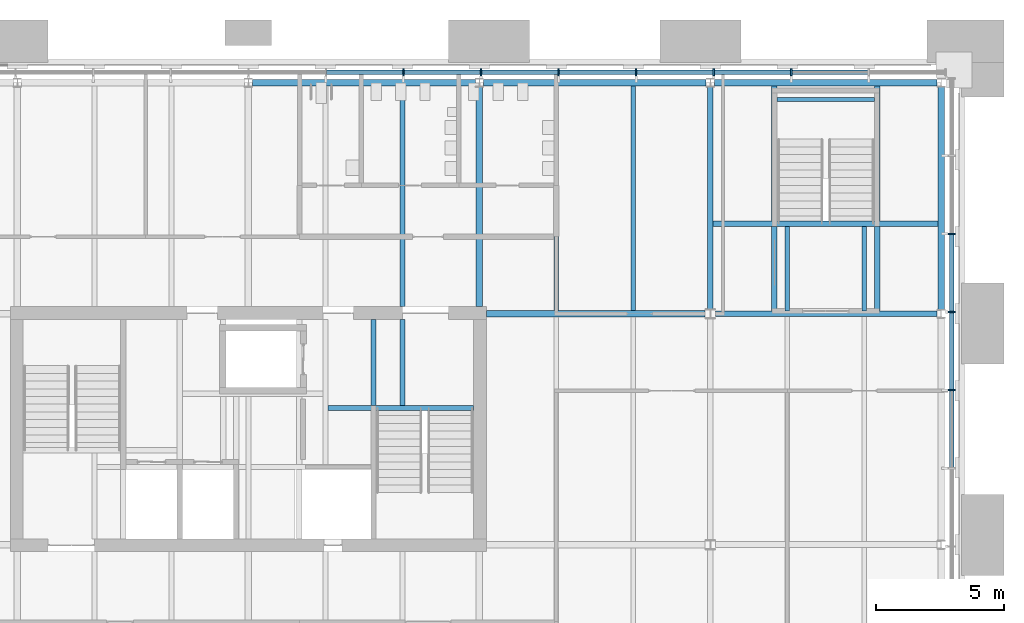
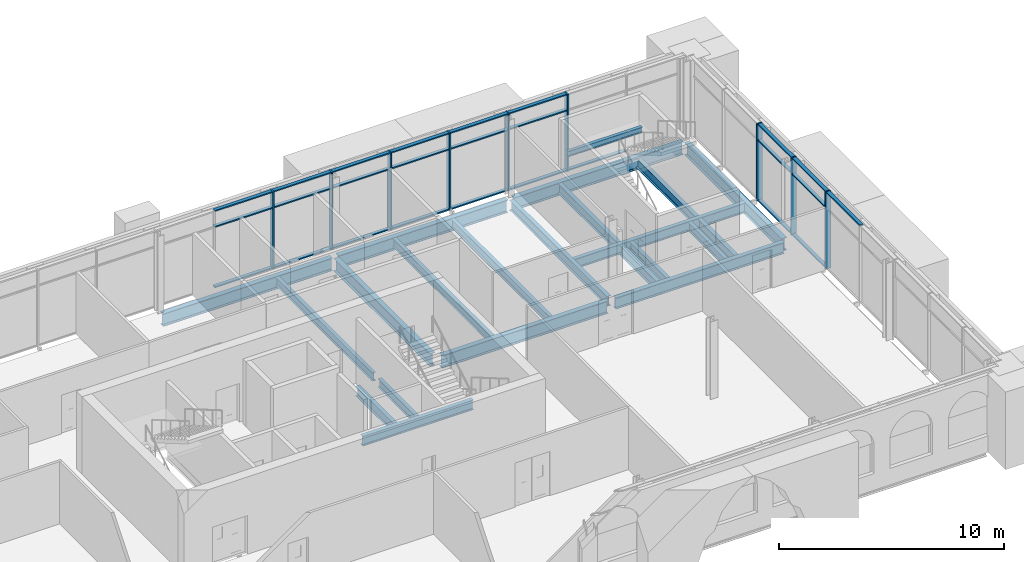
# One storey, part 7 of 22: 35 members, 22 beams, 2 elements without a shape of their own.
"""IFC4 building model written with IfcOpenShell, lengths in metres."""

from ifc_helpers import new_model, si_unit, direction, frame, origin, origin_2d, place, context, subcontext, project, spatial, rectangle, i_section, extrude, material, material_profile, profile_set, type_object, element, aggregate, save


model = new_model("IFC4")

# Units and contexts
model_context = context("Model", 3, precision=1e-05, world=origin(), true_north=direction((0.0, 1.0)))
body_context = subcontext(model_context, "Body", "Model", "MODEL_VIEW")
ifc_project = project(units=[si_unit("LENGTHUNIT", "METRE"), si_unit("AREAUNIT", "SQUARE_METRE"), si_unit("VOLUMEUNIT", "CUBIC_METRE"), si_unit("PLANEANGLEUNIT", "RADIAN"), si_unit("MASSUNIT", "GRAM", prefix="KILO")], contexts=[model_context])

# Site, building, storey
site_placement = place(None, origin())
site = spatial("IfcSite", under=ifc_project, at=site_placement, CompositionType="ELEMENT")
building_placement = place(site_placement, origin())
building = spatial("IfcBuilding", under=site, at=building_placement, Name="Baradari Gate Terminus", CompositionType="ELEMENT")
storey_placement = place(building_placement, frame((0.0, 0.0, 28.5)))
storey = spatial("IfcBuildingStorey", under=building, at=storey_placement, Name="L06", CompositionType="ELEMENT", Elevation=28.5)

# Beams
ifc_material_1 = material(Name="Steel S355", Category="steel")
ifc_material_profile_1 = material_profile(ifc_material_1, i_section(OverallWidth=0.19140625, OverallDepth=0.4599609375, WebThickness=0.010009765625, FlangeThickness=0.01611328125, FilletRadius=0.01025390625, at=origin_2d()), Name="UB 457x191x82")
ifc_profile_set_1 = profile_set([ifc_material_profile_1], Name="Steel S355")
beam_type_1 = type_object("IfcBeamType", Name="Core floor beam B23 UB 457x191x82", PredefinedType="BEAM", material=ifc_profile_set_1)
beam_1_placement = place(storey_placement, frame((42.0, 131.4296875, -0.360107421875), z_axis=(0.0, 1.0, 0.0), x_axis=(-1.0, 0.0, 0.0)))
element("IfcBeam", 1, at=beam_1_placement, inside=storey, type_object=beam_type_1, Name="Core floor beam B23 42:131.43-134.775 L06", PredefinedType="BEAM", context=body_context, shape_type="SweptSolid", body=[
    extrude(i_section(OverallWidth=0.19140625, OverallDepth=0.4599609375, WebThickness=0.010009765625, FlangeThickness=0.01611328125, FilletRadius=0.01025390625, at=origin_2d()), origin(), (0.0, 0.0, 1.0), 3.34521484375),
])
ifc_material_2 = material(Name="Steel S355", Category="steel")
ifc_material_profile_2 = material_profile(ifc_material_2, i_section(OverallWidth=0.209228515625, OverallDepth=0.533203125, WebThickness=0.010009765625, FlangeThickness=0.015625, FilletRadius=0.0126953125, at=origin_2d()), Name="UB 533x210x92")
ifc_profile_set_2 = profile_set([ifc_material_profile_2], Name="Steel S355")
beam_type_2 = type_object("IfcBeamType", Name="Core floor trimmer beam B22 UB 533x210x92", PredefinedType="BEAM", material=ifc_profile_set_2)
beam_2_placement = place(storey_placement, frame((39.095703125, 131.324951171875, -0.396484375), z_axis=(1.0, 0.0, 0.0), x_axis=(0.0, 1.0, 0.0)))
element("IfcBeam", 2, at=beam_2_placement, inside=storey, type_object=beam_type_2, Name="Core floor trimmer beam B22 131.325:39.096-44.775 L06", PredefinedType="BEAM", context=body_context, shape_type="SweptSolid", body=[
    extrude(i_section(OverallWidth=0.209228515625, OverallDepth=0.533203125, WebThickness=0.010009765625, FlangeThickness=0.015625, FilletRadius=0.0126953125, at=origin_2d()), origin(), (0.0, 0.0, 1.0), 5.67919921875),
])
beam_3_placement = place(storey_placement, frame((40.875, 131.4296875, -0.396484375), z_axis=(0.0, 1.0, 0.0), x_axis=(-1.0, 0.0, 0.0)))
element("IfcBeam", 3, at=beam_3_placement, inside=storey, type_object=beam_type_2, Name="Core floor trimmer beam B22 40.875:131.43-134.775 L06", PredefinedType="BEAM", context=body_context, shape_type="SweptSolid", body=[
    extrude(i_section(OverallWidth=0.209228515625, OverallDepth=0.533203125, WebThickness=0.010009765625, FlangeThickness=0.015625, FilletRadius=0.0126953125, at=origin_2d()), origin(), (0.0, 0.0, 1.0), 3.34521484375),
])

# Curtain wall, members
ifc_material_3 = material(Name="Aluminium 6063-T6", Category="aluminium")
curtain_wall_type = type_object("IfcCurtainWallType", Name="Curtain wall CW-12 block arcade floors, L06-L07", PredefinedType="NOTDEFINED", material=ifc_material_3)
curtain_wall_1_placement = place(storey_placement, origin())
curtain_wall_1 = element("IfcCurtainWall", 4, at=curtain_wall_1_placement, inside=storey, type_object=curtain_wall_type, Name="Curtain wall CW-12 Operations block E face L06", PredefinedType="NOTDEFINED")
ifc_material_4 = material(Name="Aluminium 6063-T6", Category="aluminium")
ifc_material_profile_3 = material_profile(ifc_material_4, rectangle(XDim=0.27490234375, YDim=0.06494140625, at=origin_2d()), Name="CM-12 65X275")
ifc_profile_set_3 = profile_set([ifc_material_profile_3], Name="Aluminium 6063-T6")
member_type_1 = type_object("IfcMemberType", Name="Curtain wall mullion CM-12 65x275", PredefinedType="MULLION", material=ifc_profile_set_3)
member_1_placement = place(storey_placement, frame((63.407470703125, 132.022216796875, 0.0), z_axis=(0.0, 0.0, 1.0), x_axis=(-1.0, 0.0, 0.0)))
member_1 = element("IfcMember", 5, at=member_1_placement, type_object=member_type_1, Name="CW-12 mullion 6", PredefinedType="MULLION", context=body_context, shape_type="SweptSolid", body=[
    extrude(rectangle(XDim=0.27490234375, YDim=0.06494140625, at=origin_2d()), origin(), (0.0, 0.0, 1.0), 4.199951171875),
])
member_2_placement = place(storey_placement, frame((63.407470703125, 135.066650390625, 0.0), z_axis=(0.0, 0.0, 1.0), x_axis=(-1.0, 0.0, 0.0)))
member_2 = element("IfcMember", 6, at=member_2_placement, type_object=member_type_1, Name="CW-12 mullion 7", PredefinedType="MULLION", context=body_context, shape_type="SweptSolid", body=[
    extrude(rectangle(XDim=0.27490234375, YDim=0.06494140625, at=origin_2d()), origin(), (0.0, 0.0, 1.0), 4.199951171875),
])
member_3_placement = place(storey_placement, frame((63.407470703125, 138.111083984375, 0.0), z_axis=(0.0, 0.0, 1.0), x_axis=(-1.0, 0.0, 0.0)))
member_3 = element("IfcMember", 7, at=member_3_placement, type_object=member_type_1, Name="CW-12 mullion 8", PredefinedType="MULLION", context=body_context, shape_type="SweptSolid", body=[
    extrude(rectangle(XDim=0.27490234375, YDim=0.06494140625, at=origin_2d()), origin(), (0.0, 0.0, 1.0), 4.199951171875),
])

curtain_wall_2_placement = place(storey_placement, origin())
curtain_wall_2 = element("IfcCurtainWall", 8, at=curtain_wall_2_placement, inside=storey, type_object=curtain_wall_type, Name="Curtain wall CW-12 Operations block N face L06", PredefinedType="NOTDEFINED")
member_4_placement = place(storey_placement, frame((57.155517578125, 144.407470703125, 0.0), z_axis=(0.0, 0.0, 1.0), x_axis=(0.0, -1.0, 0.0)))
member_4 = element("IfcMember", 9, at=member_4_placement, type_object=member_type_1, Name="CW-12 mullion 3", PredefinedType="MULLION", context=body_context, shape_type="SweptSolid", body=[
    extrude(rectangle(XDim=0.27490234375, YDim=0.06494140625, at=origin_2d()), origin(), (0.0, 0.0, 1.0), 4.199951171875),
])
member_5_placement = place(storey_placement, frame((54.13330078125, 144.407470703125, 0.0), z_axis=(0.0, 0.0, 1.0), x_axis=(0.0, -1.0, 0.0)))
member_5 = element("IfcMember", 10, at=member_5_placement, type_object=member_type_1, Name="CW-12 mullion 4", PredefinedType="MULLION", context=body_context, shape_type="SweptSolid", body=[
    extrude(rectangle(XDim=0.27490234375, YDim=0.06494140625, at=origin_2d()), origin(), (0.0, 0.0, 1.0), 4.199951171875),
])
member_6_placement = place(storey_placement, frame((51.111083984375, 144.407470703125, 0.0), z_axis=(0.0, 0.0, 1.0), x_axis=(0.0, -1.0, 0.0)))
member_6 = element("IfcMember", 11, at=member_6_placement, type_object=member_type_1, Name="CW-12 mullion 5", PredefinedType="MULLION", context=body_context, shape_type="SweptSolid", body=[
    extrude(rectangle(XDim=0.27490234375, YDim=0.06494140625, at=origin_2d()), origin(), (0.0, 0.0, 1.0), 4.199951171875),
])
member_7_placement = place(storey_placement, frame((48.0888671875, 144.407470703125, 0.0), z_axis=(0.0, 0.0, 1.0), x_axis=(0.0, -1.0, 0.0)))
member_7 = element("IfcMember", 12, at=member_7_placement, type_object=member_type_1, Name="CW-12 mullion 6", PredefinedType="MULLION", context=body_context, shape_type="SweptSolid", body=[
    extrude(rectangle(XDim=0.27490234375, YDim=0.06494140625, at=origin_2d()), origin(), (0.0, 0.0, 1.0), 4.199951171875),
])
member_8_placement = place(storey_placement, frame((45.066650390625, 144.407470703125, 0.0), z_axis=(0.0, 0.0, 1.0), x_axis=(0.0, -1.0, 0.0)))
member_8 = element("IfcMember", 13, at=member_8_placement, type_object=member_type_1, Name="CW-12 mullion 7", PredefinedType="MULLION", context=body_context, shape_type="SweptSolid", body=[
    extrude(rectangle(XDim=0.27490234375, YDim=0.06494140625, at=origin_2d()), origin(), (0.0, 0.0, 1.0), 4.199951171875),
])
member_9_placement = place(storey_placement, frame((42.04443359375, 144.407470703125, 0.0), z_axis=(0.0, 0.0, 1.0), x_axis=(0.0, -1.0, 0.0)))
member_9 = element("IfcMember", 14, at=member_9_placement, type_object=member_type_1, Name="CW-12 mullion 8", PredefinedType="MULLION", context=body_context, shape_type="SweptSolid", body=[
    extrude(rectangle(XDim=0.27490234375, YDim=0.06494140625, at=origin_2d()), origin(), (0.0, 0.0, 1.0), 4.199951171875),
])

# Member
ifc_material_5 = material(Name="Aluminium 6063-T6", Category="aluminium")
ifc_material_profile_4 = material_profile(ifc_material_5, rectangle(XDim=0.18505859375, YDim=0.06494140625, at=origin_2d()), Name="CT-12 65X185")
ifc_profile_set_4 = profile_set([ifc_material_profile_4], Name="Aluminium 6063-T6")
member_type_2 = type_object("IfcMemberType", Name="Curtain wall transom CT-12 65x185", PredefinedType="USERDEFINED", material=ifc_profile_set_4)
member_10_placement = place(storey_placement, frame((63.407470703125, 129.01025390625, 4.16748046875), z_axis=(0.0, 1.0, 0.0), x_axis=(-1.0, 0.0, 0.0)))
member_10 = element("IfcMember", 15, at=member_10_placement, type_object=member_type_2, Name="CW-12 transom 5.3", ObjectType="TRANSOM", PredefinedType="USERDEFINED", context=body_context, shape_type="SweptSolid", body=[
    extrude(rectangle(XDim=0.18505859375, YDim=0.06494140625, at=origin_2d()), origin(), (0.0, 0.0, 1.0), 2.9794921875),
])

member_11_placement = place(storey_placement, frame((63.407470703125, 132.0546875, 0.032470703125), z_axis=(0.0, 1.0, 0.0), x_axis=(-1.0, 0.0, 0.0)))
member_11 = element("IfcMember", 16, at=member_11_placement, type_object=member_type_2, Name="CW-12 transom 6.1", ObjectType="TRANSOM", PredefinedType="USERDEFINED", context=body_context, shape_type="SweptSolid", body=[
    extrude(rectangle(XDim=0.18505859375, YDim=0.06494140625, at=origin_2d()), origin(), (0.0, 0.0, 1.0), 2.9794921875),
])

member_12_placement = place(storey_placement, frame((63.407470703125, 132.0546875, 3.300048828125), z_axis=(0.0, 1.0, 0.0), x_axis=(-1.0, 0.0, 0.0)))
member_12 = element("IfcMember", 17, at=member_12_placement, type_object=member_type_2, Name="CW-12 transom 6.2", ObjectType="TRANSOM", PredefinedType="USERDEFINED", context=body_context, shape_type="SweptSolid", body=[
    extrude(rectangle(XDim=0.18505859375, YDim=0.06494140625, at=origin_2d()), origin(), (0.0, 0.0, 1.0), 2.9794921875),
])

member_13_placement = place(storey_placement, frame((63.407470703125, 132.0546875, 4.16748046875), z_axis=(0.0, 1.0, 0.0), x_axis=(-1.0, 0.0, 0.0)))
member_13 = element("IfcMember", 18, at=member_13_placement, type_object=member_type_2, Name="CW-12 transom 6.3", ObjectType="TRANSOM", PredefinedType="USERDEFINED", context=body_context, shape_type="SweptSolid", body=[
    extrude(rectangle(XDim=0.18505859375, YDim=0.06494140625, at=origin_2d()), origin(), (0.0, 0.0, 1.0), 2.9794921875),
])

member_14_placement = place(storey_placement, frame((63.407470703125, 135.09912109375, 0.032470703125), z_axis=(0.0, 1.0, 0.0), x_axis=(-1.0, 0.0, 0.0)))
member_14 = element("IfcMember", 19, at=member_14_placement, type_object=member_type_2, Name="CW-12 transom 7.1", ObjectType="TRANSOM", PredefinedType="USERDEFINED", context=body_context, shape_type="SweptSolid", body=[
    extrude(rectangle(XDim=0.18505859375, YDim=0.06494140625, at=origin_2d()), origin(), (0.0, 0.0, 1.0), 2.9794921875),
])

member_15_placement = place(storey_placement, frame((63.407470703125, 135.09912109375, 3.300048828125), z_axis=(0.0, 1.0, 0.0), x_axis=(-1.0, 0.0, 0.0)))
member_15 = element("IfcMember", 20, at=member_15_placement, type_object=member_type_2, Name="CW-12 transom 7.2", ObjectType="TRANSOM", PredefinedType="USERDEFINED", context=body_context, shape_type="SweptSolid", body=[
    extrude(rectangle(XDim=0.18505859375, YDim=0.06494140625, at=origin_2d()), origin(), (0.0, 0.0, 1.0), 2.9794921875),
])

member_16_placement = place(storey_placement, frame((63.407470703125, 135.09912109375, 4.16748046875), z_axis=(0.0, 1.0, 0.0), x_axis=(-1.0, 0.0, 0.0)))
member_16 = element("IfcMember", 21, at=member_16_placement, type_object=member_type_2, Name="CW-12 transom 7.3", ObjectType="TRANSOM", PredefinedType="USERDEFINED", context=body_context, shape_type="SweptSolid", body=[
    extrude(rectangle(XDim=0.18505859375, YDim=0.06494140625, at=origin_2d()), origin(), (0.0, 0.0, 1.0), 2.9794921875),
])

aggregate(curtain_wall_1, [member_1, member_2, member_3, member_10, member_11, member_12, member_13, member_14, member_15, member_16])

member_17_placement = place(storey_placement, frame((60.145263671875, 144.407470703125, 0.032470703125), z_axis=(-1.0, 0.0, 0.0), x_axis=(0.0, -1.0, 0.0)))
member_17 = element("IfcMember", 22, at=member_17_placement, type_object=member_type_2, Name="CW-12 transom 2.1", ObjectType="TRANSOM", PredefinedType="USERDEFINED", context=body_context, shape_type="SweptSolid", body=[
    extrude(rectangle(XDim=0.18505859375, YDim=0.06494140625, at=origin_2d()), origin(), (0.0, 0.0, 1.0), 2.957275390625),
])

member_18_placement = place(storey_placement, frame((57.123046875, 144.407470703125, 0.032470703125), z_axis=(-1.0, 0.0, 0.0), x_axis=(0.0, -1.0, 0.0)))
member_18 = element("IfcMember", 23, at=member_18_placement, type_object=member_type_2, Name="CW-12 transom 3.1", ObjectType="TRANSOM", PredefinedType="USERDEFINED", context=body_context, shape_type="SweptSolid", body=[
    extrude(rectangle(XDim=0.18505859375, YDim=0.06494140625, at=origin_2d()), origin(), (0.0, 0.0, 1.0), 2.957275390625),
])

member_19_placement = place(storey_placement, frame((57.123046875, 144.407470703125, 3.300048828125), z_axis=(-1.0, 0.0, 0.0), x_axis=(0.0, -1.0, 0.0)))
member_19 = element("IfcMember", 24, at=member_19_placement, type_object=member_type_2, Name="CW-12 transom 3.2", ObjectType="TRANSOM", PredefinedType="USERDEFINED", context=body_context, shape_type="SweptSolid", body=[
    extrude(rectangle(XDim=0.18505859375, YDim=0.06494140625, at=origin_2d()), origin(), (0.0, 0.0, 1.0), 2.957275390625),
])

member_20_placement = place(storey_placement, frame((57.123046875, 144.407470703125, 4.16748046875), z_axis=(-1.0, 0.0, 0.0), x_axis=(0.0, -1.0, 0.0)))
member_20 = element("IfcMember", 25, at=member_20_placement, type_object=member_type_2, Name="CW-12 transom 3.3", ObjectType="TRANSOM", PredefinedType="USERDEFINED", context=body_context, shape_type="SweptSolid", body=[
    extrude(rectangle(XDim=0.18505859375, YDim=0.06494140625, at=origin_2d()), origin(), (0.0, 0.0, 1.0), 2.957275390625),
])

member_21_placement = place(storey_placement, frame((54.100830078125, 144.407470703125, 0.032470703125), z_axis=(-1.0, 0.0, 0.0), x_axis=(0.0, -1.0, 0.0)))
member_21 = element("IfcMember", 26, at=member_21_placement, type_object=member_type_2, Name="CW-12 transom 4.1", ObjectType="TRANSOM", PredefinedType="USERDEFINED", context=body_context, shape_type="SweptSolid", body=[
    extrude(rectangle(XDim=0.18505859375, YDim=0.06494140625, at=origin_2d()), origin(), (0.0, 0.0, 1.0), 2.957275390625),
])

member_22_placement = place(storey_placement, frame((54.100830078125, 144.407470703125, 3.300048828125), z_axis=(-1.0, 0.0, 0.0), x_axis=(0.0, -1.0, 0.0)))
member_22 = element("IfcMember", 27, at=member_22_placement, type_object=member_type_2, Name="CW-12 transom 4.2", ObjectType="TRANSOM", PredefinedType="USERDEFINED", context=body_context, shape_type="SweptSolid", body=[
    extrude(rectangle(XDim=0.18505859375, YDim=0.06494140625, at=origin_2d()), origin(), (0.0, 0.0, 1.0), 2.957275390625),
])

member_23_placement = place(storey_placement, frame((54.100830078125, 144.407470703125, 4.16748046875), z_axis=(-1.0, 0.0, 0.0), x_axis=(0.0, -1.0, 0.0)))
member_23 = element("IfcMember", 28, at=member_23_placement, type_object=member_type_2, Name="CW-12 transom 4.3", ObjectType="TRANSOM", PredefinedType="USERDEFINED", context=body_context, shape_type="SweptSolid", body=[
    extrude(rectangle(XDim=0.18505859375, YDim=0.06494140625, at=origin_2d()), origin(), (0.0, 0.0, 1.0), 2.957275390625),
])

member_24_placement = place(storey_placement, frame((51.07861328125, 144.407470703125, 0.032470703125), z_axis=(-1.0, 0.0, 0.0), x_axis=(0.0, -1.0, 0.0)))
member_24 = element("IfcMember", 29, at=member_24_placement, type_object=member_type_2, Name="CW-12 transom 5.1", ObjectType="TRANSOM", PredefinedType="USERDEFINED", context=body_context, shape_type="SweptSolid", body=[
    extrude(rectangle(XDim=0.18505859375, YDim=0.06494140625, at=origin_2d()), origin(), (0.0, 0.0, 1.0), 2.957275390625),
])

member_25_placement = place(storey_placement, frame((51.07861328125, 144.407470703125, 3.300048828125), z_axis=(-1.0, 0.0, 0.0), x_axis=(0.0, -1.0, 0.0)))
member_25 = element("IfcMember", 30, at=member_25_placement, type_object=member_type_2, Name="CW-12 transom 5.2", ObjectType="TRANSOM", PredefinedType="USERDEFINED", context=body_context, shape_type="SweptSolid", body=[
    extrude(rectangle(XDim=0.18505859375, YDim=0.06494140625, at=origin_2d()), origin(), (0.0, 0.0, 1.0), 2.957275390625),
])

member_26_placement = place(storey_placement, frame((51.07861328125, 144.407470703125, 4.16748046875), z_axis=(-1.0, 0.0, 0.0), x_axis=(0.0, -1.0, 0.0)))
member_26 = element("IfcMember", 31, at=member_26_placement, type_object=member_type_2, Name="CW-12 transom 5.3", ObjectType="TRANSOM", PredefinedType="USERDEFINED", context=body_context, shape_type="SweptSolid", body=[
    extrude(rectangle(XDim=0.18505859375, YDim=0.06494140625, at=origin_2d()), origin(), (0.0, 0.0, 1.0), 2.957275390625),
])

member_27_placement = place(storey_placement, frame((48.056396484375, 144.407470703125, 0.032470703125), z_axis=(-1.0, 0.0, 0.0), x_axis=(0.0, -1.0, 0.0)))
member_27 = element("IfcMember", 32, at=member_27_placement, type_object=member_type_2, Name="CW-12 transom 6.1", ObjectType="TRANSOM", PredefinedType="USERDEFINED", context=body_context, shape_type="SweptSolid", body=[
    extrude(rectangle(XDim=0.18505859375, YDim=0.06494140625, at=origin_2d()), origin(), (0.0, 0.0, 1.0), 2.957275390625),
])

member_28_placement = place(storey_placement, frame((48.056396484375, 144.407470703125, 3.300048828125), z_axis=(-1.0, 0.0, 0.0), x_axis=(0.0, -1.0, 0.0)))
member_28 = element("IfcMember", 33, at=member_28_placement, type_object=member_type_2, Name="CW-12 transom 6.2", ObjectType="TRANSOM", PredefinedType="USERDEFINED", context=body_context, shape_type="SweptSolid", body=[
    extrude(rectangle(XDim=0.18505859375, YDim=0.06494140625, at=origin_2d()), origin(), (0.0, 0.0, 1.0), 2.957275390625),
])

member_29_placement = place(storey_placement, frame((48.056396484375, 144.407470703125, 4.16748046875), z_axis=(-1.0, 0.0, 0.0), x_axis=(0.0, -1.0, 0.0)))
member_29 = element("IfcMember", 34, at=member_29_placement, type_object=member_type_2, Name="CW-12 transom 6.3", ObjectType="TRANSOM", PredefinedType="USERDEFINED", context=body_context, shape_type="SweptSolid", body=[
    extrude(rectangle(XDim=0.18505859375, YDim=0.06494140625, at=origin_2d()), origin(), (0.0, 0.0, 1.0), 2.957275390625),
])

member_30_placement = place(storey_placement, frame((45.0341796875, 144.407470703125, 0.032470703125), z_axis=(-1.0, 0.0, 0.0), x_axis=(0.0, -1.0, 0.0)))
member_30 = element("IfcMember", 35, at=member_30_placement, type_object=member_type_2, Name="CW-12 transom 7.1", ObjectType="TRANSOM", PredefinedType="USERDEFINED", context=body_context, shape_type="SweptSolid", body=[
    extrude(rectangle(XDim=0.18505859375, YDim=0.06494140625, at=origin_2d()), origin(), (0.0, 0.0, 1.0), 2.957275390625),
])

member_31_placement = place(storey_placement, frame((45.0341796875, 144.407470703125, 3.300048828125), z_axis=(-1.0, 0.0, 0.0), x_axis=(0.0, -1.0, 0.0)))
member_31 = element("IfcMember", 36, at=member_31_placement, type_object=member_type_2, Name="CW-12 transom 7.2", ObjectType="TRANSOM", PredefinedType="USERDEFINED", context=body_context, shape_type="SweptSolid", body=[
    extrude(rectangle(XDim=0.18505859375, YDim=0.06494140625, at=origin_2d()), origin(), (0.0, 0.0, 1.0), 2.957275390625),
])

member_32_placement = place(storey_placement, frame((45.0341796875, 144.407470703125, 4.16748046875), z_axis=(-1.0, 0.0, 0.0), x_axis=(0.0, -1.0, 0.0)))
member_32 = element("IfcMember", 37, at=member_32_placement, type_object=member_type_2, Name="CW-12 transom 7.3", ObjectType="TRANSOM", PredefinedType="USERDEFINED", context=body_context, shape_type="SweptSolid", body=[
    extrude(rectangle(XDim=0.18505859375, YDim=0.06494140625, at=origin_2d()), origin(), (0.0, 0.0, 1.0), 2.957275390625),
])

member_33_placement = place(storey_placement, frame((42.011962890625, 144.407470703125, 0.032470703125), z_axis=(-1.0, 0.0, 0.0), x_axis=(0.0, -1.0, 0.0)))
member_33 = element("IfcMember", 38, at=member_33_placement, type_object=member_type_2, Name="CW-12 transom 8.1", ObjectType="TRANSOM", PredefinedType="USERDEFINED", context=body_context, shape_type="SweptSolid", body=[
    extrude(rectangle(XDim=0.18505859375, YDim=0.06494140625, at=origin_2d()), origin(), (0.0, 0.0, 1.0), 2.957275390625),
])

member_34_placement = place(storey_placement, frame((42.011962890625, 144.407470703125, 3.300048828125), z_axis=(-1.0, 0.0, 0.0), x_axis=(0.0, -1.0, 0.0)))
member_34 = element("IfcMember", 39, at=member_34_placement, type_object=member_type_2, Name="CW-12 transom 8.2", ObjectType="TRANSOM", PredefinedType="USERDEFINED", context=body_context, shape_type="SweptSolid", body=[
    extrude(rectangle(XDim=0.18505859375, YDim=0.06494140625, at=origin_2d()), origin(), (0.0, 0.0, 1.0), 2.957275390625),
])

member_35_placement = place(storey_placement, frame((42.011962890625, 144.407470703125, 4.16748046875), z_axis=(-1.0, 0.0, 0.0), x_axis=(0.0, -1.0, 0.0)))
member_35 = element("IfcMember", 40, at=member_35_placement, type_object=member_type_2, Name="CW-12 transom 8.3", ObjectType="TRANSOM", PredefinedType="USERDEFINED", context=body_context, shape_type="SweptSolid", body=[
    extrude(rectangle(XDim=0.18505859375, YDim=0.06494140625, at=origin_2d()), origin(), (0.0, 0.0, 1.0), 2.957275390625),
])

aggregate(curtain_wall_2, [member_4, member_5, member_6, member_7, member_8, member_9, member_17, member_18, member_19, member_20, member_21, member_22, member_23, member_24, member_25, member_26, member_27, member_28, member_29, member_30, member_31, member_32, member_33, member_34, member_35])

# Beams
ifc_material_6 = material(Name="Steel S355", Category="steel")
ifc_material_profile_5 = material_profile(ifc_material_6, i_section(OverallWidth=0.1650390625, OverallDepth=0.303466796875, WebThickness=0.006103515625, FlangeThickness=0.01025390625, FilletRadius=0.0087890625, at=origin_2d()), Name="UB 305x165x40")
ifc_profile_set_5 = profile_set([ifc_material_profile_5], Name="Steel S355")
beam_type_3 = type_object("IfcBeamType", Name="Landing beam B78 UB 305x165x40", PredefinedType="BEAM", material=ifc_profile_set_5)
beam_4_placement = place(storey_placement, frame((56.60009765625, 143.35009765625, 1.748291015625), z_axis=(1.0, 0.0, 0.0), x_axis=(0.0, 1.0, 0.0)))
element("IfcBeam", 41, at=beam_4_placement, inside=storey, type_object=beam_type_3, Name="B78 landing beam ST-T3/L1", PredefinedType="BEAM", context=body_context, shape_type="SweptSolid", body=[
    extrude(i_section(OverallWidth=0.1650390625, OverallDepth=0.303466796875, WebThickness=0.006103515625, FlangeThickness=0.01025390625, FilletRadius=0.0087890625, at=origin_2d()), origin(), (0.0, 0.0, 1.0), 3.7998046875),
])
ifc_material_7 = material(Name="Steel S355", Category="steel")
ifc_material_profile_6 = material_profile(ifc_material_7, i_section(OverallWidth=0.25439453125, OverallDepth=0.6875, WebThickness=0.01318359375, FlangeThickness=0.02099609375, FilletRadius=0.01513671875, at=origin_2d()), Name="UB 686x254x152")
ifc_profile_set_6 = profile_set([ifc_material_profile_6], Name="Steel S355")
beam_type_4 = type_object("IfcBeamType", Name="Operations block coupling beam B26 UB 686x254x152", PredefinedType="BEAM", material=ifc_profile_set_6)
beam_5_placement = place(storey_placement, frame((45.27490234375, 135.0, -0.4736328125), z_axis=(1.0, 0.0, 0.0), x_axis=(0.0, 1.0, 0.0)))
element("IfcBeam", 42, at=beam_5_placement, inside=storey, type_object=beam_type_4, Name="Operations block coupling beam B26 R:45.275-53.803 L06", PredefinedType="BEAM", context=body_context, shape_type="SweptSolid", body=[
    extrude(i_section(OverallWidth=0.25439453125, OverallDepth=0.6875, WebThickness=0.01318359375, FlangeThickness=0.02099609375, FilletRadius=0.01513671875, at=origin_2d()), origin(), (0.0, 0.0, 1.0), 8.527587890625),
])
beam_6_placement = place(storey_placement, frame((45.0, 135.27490234375, -0.4736328125), z_axis=(0.0, 1.0, 0.0), x_axis=(-1.0, 0.0, 0.0)))
element("IfcBeam", 43, at=beam_6_placement, inside=storey, type_object=beam_type_4, Name="Operations block coupling beam B26 6:135.275-143.83 L06", PredefinedType="BEAM", context=body_context, shape_type="SweptSolid", body=[
    extrude(i_section(OverallWidth=0.25439453125, OverallDepth=0.6875, WebThickness=0.01318359375, FlangeThickness=0.02099609375, FilletRadius=0.01513671875, at=origin_2d()), origin(), (0.0, 0.0, 1.0), 8.55517578125),
])
ifc_material_8 = material(Name="Steel S355", Category="steel")
ifc_material_profile_7 = material_profile(ifc_material_8, i_section(OverallWidth=0.22900390625, OverallDepth=0.6123046875, WebThickness=0.011962890625, FlangeThickness=0.01953125, FilletRadius=0.0126953125, at=origin_2d()), Name="UB 610x229x125")
ifc_profile_set_7 = profile_set([ifc_material_profile_7], Name="Steel S355")
beam_type_5 = type_object("IfcBeamType", Name="Operations block girder B25 UB 610x229x125", PredefinedType="BEAM", material=ifc_profile_set_7)
beam_7_placement = place(storey_placement, frame((54.197509765625, 135.0, -0.43603515625), z_axis=(1.0, 0.0, 0.0), x_axis=(0.0, 1.0, 0.0)))
element("IfcBeam", 44, at=beam_7_placement, inside=storey, type_object=beam_type_5, Name="Operations block girder B25 R:54.197-62.843 L06", PredefinedType="BEAM", context=body_context, shape_type="SweptSolid", body=[
    extrude(i_section(OverallWidth=0.22900390625, OverallDepth=0.6123046875, WebThickness=0.011962890625, FlangeThickness=0.01953125, FilletRadius=0.0126953125, at=origin_2d()), origin(), (0.0, 0.0, 1.0), 8.645263671875),
])
ifc_material_9 = material(Name="Steel S355", Category="steel")
ifc_material_profile_8 = material_profile(ifc_material_9, i_section(OverallWidth=0.210693359375, OverallDepth=0.53955078125, WebThickness=0.01171875, FlangeThickness=0.018798828125, FilletRadius=0.0126953125, at=origin_2d()), Name="UB 533x210x109")
ifc_profile_set_8 = profile_set([ifc_material_profile_8], Name="Steel S355")
beam_type_6 = type_object("IfcBeamType", Name="Operations block girder B29 UB 533x210x109", PredefinedType="BEAM", material=ifc_profile_set_8)
beam_8_placement = place(storey_placement, frame((54.0, 135.1904296875, -0.399658203125), z_axis=(0.0, 1.0, 0.0), x_axis=(-1.0, 0.0, 0.0)))
element("IfcBeam", 45, at=beam_8_placement, inside=storey, type_object=beam_type_6, Name="Operations block girder B29 7:135.19-143.83 L06", PredefinedType="BEAM", context=body_context, shape_type="SweptSolid", body=[
    extrude(i_section(OverallWidth=0.210693359375, OverallDepth=0.53955078125, WebThickness=0.01171875, FlangeThickness=0.018798828125, FilletRadius=0.0126953125, at=origin_2d()), origin(), (0.0, 0.0, 1.0), 8.6396484375),
])
ifc_material_10 = material(Name="Steel S355", Category="steel")
ifc_material_profile_9 = material_profile(ifc_material_10, i_section(OverallWidth=0.25439453125, OverallDepth=0.6875, WebThickness=0.01318359375, FlangeThickness=0.02099609375, FilletRadius=0.01513671875, at=origin_2d()), Name="UB 686x254x152")
ifc_profile_set_9 = profile_set([ifc_material_profile_9], Name="Steel S355")
beam_type_7 = type_object("IfcBeamType", Name="Operations block moment frame beam B32 UB 686x254x152", PredefinedType="BEAM", material=ifc_profile_set_9)
for number, where, z_axis, x_axis, name in (
    (46, (36.1572265625, 144.0, -0.4736328125), (1.0, 0.0, 0.0), (0.0, 1.0, 0.0), "Operations block moment frame beam B32 S:36.157-44.843 L06"),
    (47, (45.1572265625, 144.0, -0.4736328125), (1.0, 0.0, 0.0), (0.0, 1.0, 0.0), "Operations block moment frame beam B32 S:45.157-53.843 L06"),
    (48, (54.1572265625, 144.0, -0.4736328125), (1.0, 0.0, 0.0), (0.0, 1.0, 0.0), "Operations block moment frame beam B32 S:54.157-62.843 L06"),
):
    element("IfcBeam", number, at=place(storey_placement, frame(where, z_axis=z_axis, x_axis=x_axis)), inside=storey, type_object=beam_type_7, Name=name, PredefinedType="BEAM", context=body_context, shape_type="SweptSolid", body=[
        extrude(i_section(OverallWidth=0.25439453125, OverallDepth=0.6875, WebThickness=0.01318359375, FlangeThickness=0.02099609375, FilletRadius=0.01513671875, at=origin_2d()), origin(), (0.0, 0.0, 1.0), 8.685546875),
    ])
beam_9_placement = place(storey_placement, frame((63.0, 135.169921875, -0.4736328125), z_axis=(0.0, 1.0, 0.0), x_axis=(-1.0, 0.0, 0.0)))
element("IfcBeam", 49, at=beam_9_placement, inside=storey, type_object=beam_type_7, Name="Operations block moment frame beam B32 8:135.17-143.83 L06", PredefinedType="BEAM", context=body_context, shape_type="SweptSolid", body=[
    extrude(i_section(OverallWidth=0.25439453125, OverallDepth=0.6875, WebThickness=0.01318359375, FlangeThickness=0.02099609375, FilletRadius=0.01513671875, at=origin_2d()), origin(), (0.0, 0.0, 1.0), 8.66015625),
])
ifc_material_11 = material(Name="Steel S355", Category="steel")
ifc_material_profile_10 = material_profile(ifc_material_11, i_section(OverallWidth=0.18994140625, OverallDepth=0.453369140625, WebThickness=0.008544921875, FlangeThickness=0.0126953125, FilletRadius=0.01025390625, at=origin_2d()), Name="UB 457x191x67")
ifc_profile_set_10 = profile_set([ifc_material_profile_10], Name="Steel S355")
beam_type_8 = type_object("IfcBeamType", Name="Operations block secondary beam B28 UB 457x191x67", PredefinedType="BEAM", material=ifc_profile_set_10)
beam_10_placement = place(storey_placement, frame((42.0, 135.27490234375, -0.356689453125), z_axis=(0.0, 1.0, 0.0), x_axis=(-1.0, 0.0, 0.0)))
element("IfcBeam", 50, at=beam_10_placement, inside=storey, type_object=beam_type_8, Name="Operations block secondary beam B28 42:135.275-143.873 L06", PredefinedType="BEAM", context=body_context, shape_type="SweptSolid", body=[
    extrude(i_section(OverallWidth=0.18994140625, OverallDepth=0.453369140625, WebThickness=0.008544921875, FlangeThickness=0.0126953125, FilletRadius=0.01025390625, at=origin_2d()), origin(), (0.0, 0.0, 1.0), 8.597900390625),
])
for number, where, z_axis, x_axis, name in (
    (51, (48.0, 135.127197265625, -0.356689453125), (0.0, 1.0, 0.0), (-1.0, 0.0, 0.0), "Operations block secondary beam B28 48:135.127-143.873 L06"),
    (52, (51.0, 135.127197265625, -0.356689453125), (0.0, 1.0, 0.0), (-1.0, 0.0, 0.0), "Operations block secondary beam B28 51:135.127-143.873 L06"),
):
    element("IfcBeam", number, at=place(storey_placement, frame(where, z_axis=z_axis, x_axis=x_axis)), inside=storey, type_object=beam_type_8, Name=name, PredefinedType="BEAM", context=body_context, shape_type="SweptSolid", body=[
        extrude(i_section(OverallWidth=0.18994140625, OverallDepth=0.453369140625, WebThickness=0.008544921875, FlangeThickness=0.0126953125, FilletRadius=0.01025390625, at=origin_2d()), origin(), (0.0, 0.0, 1.0), 8.74560546875),
    ])
for number, where, z_axis, x_axis, name in (
    (53, (57.0, 135.114501953125, -0.356689453125), (0.0, 1.0, 0.0), (-1.0, 0.0, 0.0), "Operations block secondary beam B28 57:135.114-138.395 L06"),
    (54, (60.0, 135.114501953125, -0.356689453125), (0.0, 1.0, 0.0), (-1.0, 0.0, 0.0), "Operations block secondary beam B28 60:135.114-138.395 L06"),
):
    element("IfcBeam", number, at=place(storey_placement, frame(where, z_axis=z_axis, x_axis=x_axis)), inside=storey, type_object=beam_type_8, Name=name, PredefinedType="BEAM", context=body_context, shape_type="SweptSolid", body=[
        extrude(i_section(OverallWidth=0.18994140625, OverallDepth=0.453369140625, WebThickness=0.008544921875, FlangeThickness=0.0126953125, FilletRadius=0.01025390625, at=origin_2d()), origin(), (0.0, 0.0, 1.0), 3.281005859375),
    ])
ifc_material_12 = material(Name="Steel S355", Category="steel")
ifc_material_profile_11 = material_profile(ifc_material_12, i_section(OverallWidth=0.209228515625, OverallDepth=0.533203125, WebThickness=0.010009765625, FlangeThickness=0.015625, FilletRadius=0.0126953125, at=origin_2d()), Name="UB 533x210x92")
ifc_profile_set_11 = profile_set([ifc_material_profile_11], Name="Steel S355")
beam_type_9 = type_object("IfcBeamType", Name="Operations block trimmer beam B27 UB 533x210x92", PredefinedType="BEAM", material=ifc_profile_set_11)
beam_11_placement = place(storey_placement, frame((54.10546875, 138.5, -0.396484375), z_axis=(1.0, 0.0, 0.0), x_axis=(0.0, 1.0, 0.0)))
element("IfcBeam", 55, at=beam_11_placement, inside=storey, type_object=beam_type_9, Name="Operations block trimmer beam B27 138.5:54.105-62.873 L06", PredefinedType="BEAM", context=body_context, shape_type="SweptSolid", body=[
    extrude(i_section(OverallWidth=0.209228515625, OverallDepth=0.533203125, WebThickness=0.010009765625, FlangeThickness=0.015625, FilletRadius=0.0126953125, at=origin_2d()), origin(), (0.0, 0.0, 1.0), 8.767333984375),
])
beam_12_placement = place(storey_placement, frame((56.4951171875, 135.114501953125, -0.396484375), z_axis=(0.0, 1.0, 0.0), x_axis=(-1.0, 0.0, 0.0)))
element("IfcBeam", 56, at=beam_12_placement, inside=storey, type_object=beam_type_9, Name="Operations block trimmer beam B27 56.495:135.114-138.395 L06", PredefinedType="BEAM", context=body_context, shape_type="SweptSolid", body=[
    extrude(i_section(OverallWidth=0.209228515625, OverallDepth=0.533203125, WebThickness=0.010009765625, FlangeThickness=0.015625, FilletRadius=0.0126953125, at=origin_2d()), origin(), (0.0, 0.0, 1.0), 3.281005859375),
])
beam_13_placement = place(storey_placement, frame((56.4951171875, 138.6044921875, -0.396484375), z_axis=(0.0, 1.0, 0.0), x_axis=(-1.0, 0.0, 0.0)))
element("IfcBeam", 57, at=beam_13_placement, inside=storey, type_object=beam_type_9, Name="Operations block trimmer beam B27 56.495:138.605-143.873 L06", PredefinedType="BEAM", context=body_context, shape_type="SweptSolid", body=[
    extrude(i_section(OverallWidth=0.209228515625, OverallDepth=0.533203125, WebThickness=0.010009765625, FlangeThickness=0.015625, FilletRadius=0.0126953125, at=origin_2d()), origin(), (0.0, 0.0, 1.0), 5.268310546875),
])
beam_14_placement = place(storey_placement, frame((60.5048828125, 135.114501953125, -0.396484375), z_axis=(0.0, 1.0, 0.0), x_axis=(-1.0, 0.0, 0.0)))
element("IfcBeam", 58, at=beam_14_placement, inside=storey, type_object=beam_type_9, Name="Operations block trimmer beam B27 60.505:135.114-138.395 L06", PredefinedType="BEAM", context=body_context, shape_type="SweptSolid", body=[
    extrude(i_section(OverallWidth=0.209228515625, OverallDepth=0.533203125, WebThickness=0.010009765625, FlangeThickness=0.015625, FilletRadius=0.0126953125, at=origin_2d()), origin(), (0.0, 0.0, 1.0), 3.281005859375),
])
beam_15_placement = place(storey_placement, frame((60.5048828125, 138.6044921875, -0.396484375), z_axis=(0.0, 1.0, 0.0), x_axis=(-1.0, 0.0, 0.0)))
element("IfcBeam", 59, at=beam_15_placement, inside=storey, type_object=beam_type_9, Name="Operations block trimmer beam B27 60.505:138.605-143.873 L06", PredefinedType="BEAM", context=body_context, shape_type="SweptSolid", body=[
    extrude(i_section(OverallWidth=0.209228515625, OverallDepth=0.533203125, WebThickness=0.010009765625, FlangeThickness=0.015625, FilletRadius=0.0126953125, at=origin_2d()), origin(), (0.0, 0.0, 1.0), 5.268310546875),
])

save(model, "model.ifc")
